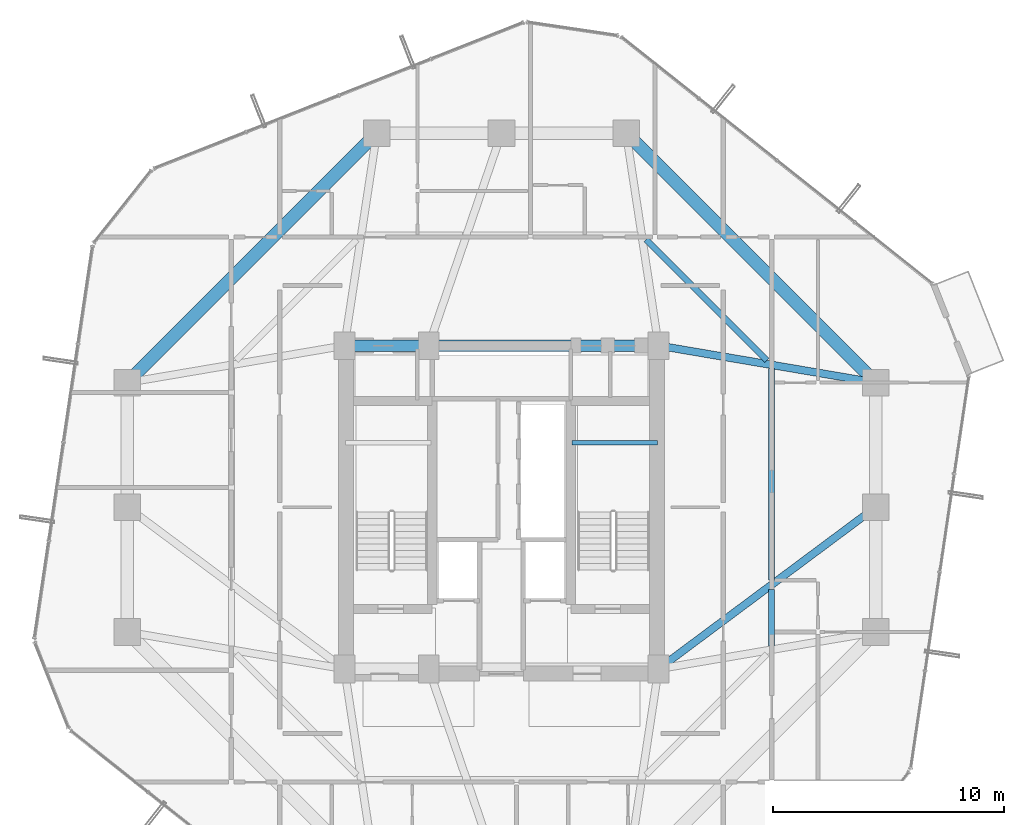
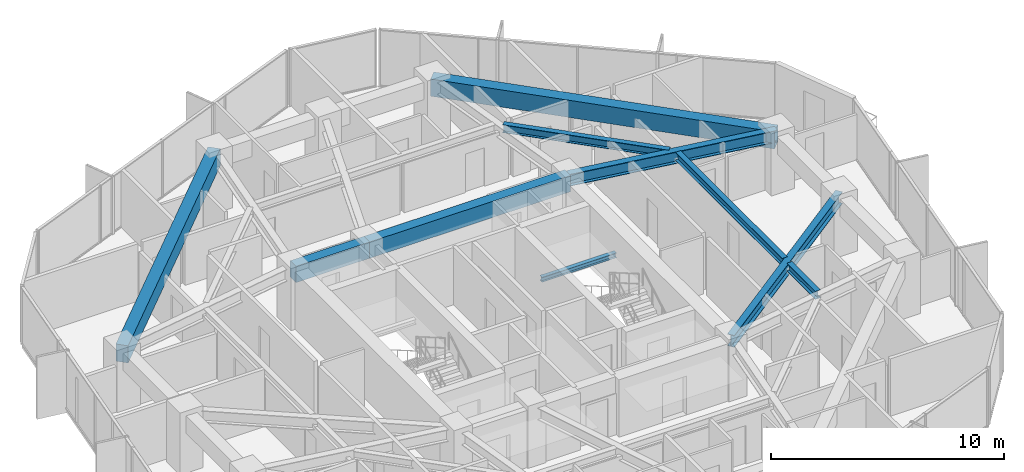
# One storey, part 13 of 29: 10 beams.
"""IFC4 building model written with IfcOpenShell, lengths in metres."""

from ifc_helpers import new_model, si_unit, direction, frame, origin, origin_2d, place, context, subcontext, project, spatial, rectangle, i_section, extrude, material, material_profile, profile_set, type_object, element, save


model = new_model("IFC4")

# Units and contexts
model_context = context("Model", 3, precision=1e-05, world=origin(), true_north=direction((0.0, 1.0)))
body_context = subcontext(model_context, "Body", "Model", "MODEL_VIEW")
ifc_project = project(units=[si_unit("LENGTHUNIT", "METRE"), si_unit("AREAUNIT", "SQUARE_METRE"), si_unit("VOLUMEUNIT", "CUBIC_METRE"), si_unit("PLANEANGLEUNIT", "RADIAN"), si_unit("MASSUNIT", "GRAM", prefix="KILO")], contexts=[model_context])

# Site, building, storey
site_placement = place(None, origin())
site = spatial("IfcSite", under=ifc_project, at=site_placement, CompositionType="ELEMENT")
building_placement = place(site_placement, origin())
building = spatial("IfcBuilding", under=site, at=building_placement, Name="Veraguas Prism Commons", CompositionType="ELEMENT")
storey_placement = place(building_placement, frame((0.0, 0.0, 99.199951171875)))
storey = spatial("IfcBuildingStorey", under=building, at=storey_placement, Name="L27", CompositionType="ELEMENT", Elevation=99.199951171875)

# Beams
ifc_material_1 = material(Name="Concrete C50/60", Category="concrete")
ifc_material_profile_1 = material_profile(ifc_material_1, rectangle(XDim=0.5, YDim=0.85009765625, at=origin_2d()), Name="RC500X850")
ifc_profile_set_1 = profile_set([ifc_material_profile_1], Name="Concrete C50/60")
beam_type_1 = type_object("IfcBeamType", Name="Core Coupling Beam RC 500x850", PredefinedType="BEAM", material=ifc_profile_set_1)
beam_1_placement = place(storey_placement, frame((17.199951171875, 31.0, 2.574951171875), z_axis=(1.0, 0.0, 0.0), x_axis=(0.0, 1.0, 0.0)))
element("IfcBeam", 1, at=beam_1_placement, inside=storey, type_object=beam_type_1, Name="Core Coupling Beam L27-CRN1", PredefinedType="BEAM", context=body_context, shape_type="SweptSolid", body=[
    extrude(rectangle(XDim=0.5, YDim=0.85009765625, at=origin_2d()), origin(), (0.0, 0.0, 1.0), 3.650146484375),
])
beam_2_placement = place(storey_placement, frame((20.85009765625, 31.0, 2.574951171875), z_axis=(1.0, 0.0, 0.0), x_axis=(0.0, 1.0, 0.0)))
element("IfcBeam", 2, at=beam_2_placement, inside=storey, type_object=beam_type_1, Name="Core Coupling Beam L27-CRN2", PredefinedType="BEAM", context=body_context, shape_type="SweptSolid", body=[
    extrude(rectangle(XDim=0.5, YDim=0.85009765625, at=origin_2d()), origin(), (0.0, 0.0, 1.0), 9.949951171875),
])
ifc_material_2 = material(Name="Steel ASTM A992 Grade 50", Category="steel")
ifc_material_profile_2 = material_profile(ifc_material_2, i_section(OverallWidth=0.260986328125, OverallDepth=0.419921875, WebThickness=0.01171875, FlangeThickness=0.019287109375, at=origin_2d()), Name="W410X114")
ifc_profile_set_2 = profile_set([ifc_material_profile_2], Name="Steel ASTM A992 Grade 50")
beam_type_2 = type_object("IfcBeamType", Name="Lower Floor Joist W410x114", PredefinedType="JOIST", material=ifc_profile_set_2)
beam_3_placement = place(storey_placement, frame((35.68798828125, 17.996337890625, 2.7900390625), z_axis=(0.0, 1.0, 0.0), x_axis=(-1.0, 0.0, 0.0)))
element("IfcBeam", 3, at=beam_3_placement, inside=storey, type_object=beam_type_2, Name="Composite Floor Joist L27-JS01", PredefinedType="JOIST", context=body_context, shape_type="SweptSolid", body=[
    extrude(i_section(OverallWidth=0.260986328125, OverallDepth=0.419921875, WebThickness=0.01171875, FlangeThickness=0.019287109375, at=origin_2d()), origin(), (0.0, 0.0, 1.0), 2.441650390625),
])
beam_4_placement = place(storey_placement, frame((35.68798828125, 20.842041015625, 2.7900390625), z_axis=(0.0, 1.0, 0.0), x_axis=(-1.0, 0.0, 0.0)))
element("IfcBeam", 4, at=beam_4_placement, inside=storey, type_object=beam_type_2, Name="Composite Floor Joist L27-JS02", PredefinedType="JOIST", context=body_context, shape_type="SweptSolid", body=[
    extrude(i_section(OverallWidth=0.260986328125, OverallDepth=0.419921875, WebThickness=0.01171875, FlangeThickness=0.019287109375, at=origin_2d()), origin(), (0.0, 0.0, 1.0), 9.16162109375),
])
beam_5_placement = place(storey_placement, frame((35.489990234375, 30.365966796875, 2.7900390625), z_axis=(-0.707090260193, 0.707123301794, 0.0), x_axis=(-0.707123301794, -0.707090260193, 0.0)))
element("IfcBeam", 5, at=beam_5_placement, inside=storey, type_object=beam_type_2, Name="Composite Floor Joist L27-JS03", PredefinedType="JOIST", context=body_context, shape_type="SweptSolid", body=[
    extrude(i_section(OverallWidth=0.260986328125, OverallDepth=0.419921875, WebThickness=0.01171875, FlangeThickness=0.019287109375, at=origin_2d()), origin(), (0.0, 0.0, 1.0), 7.388916015625),
])
ifc_material_profile_3 = material_profile(ifc_material_1, rectangle(XDim=0.550048828125, YDim=0.89990234375, at=origin_2d()), Name="RC550X900")
ifc_profile_set_3 = profile_set([ifc_material_profile_3], Name="Concrete C50/60")
beam_type_3 = type_object("IfcBeamType", Name="Perimeter Spandrel Lower RC 550x900", PredefinedType="SPANDREL", material=ifc_profile_set_3)
for number, where, z_axis, x_axis, name in (
    (6, (40.199951171875, 29.39990234375, 2.550048828125), (-0.707106781187, 0.707106781187, 0.0), (-0.707106781187, -0.707106781187, 0.0), "Perimeter Spandrel Beam L27-SP03"),
    (7, (18.60009765625, 40.199951171875, 2.550048828125), (-0.707106781187, -0.707106781187, 0.0), (0.707106781187, -0.707106781187, 0.0), "Perimeter Spandrel Beam L27-SP06"),
):
    element("IfcBeam", number, at=place(storey_placement, frame(where, z_axis=z_axis, x_axis=x_axis)), inside=storey, type_object=beam_type_3, Name=name, PredefinedType="SPANDREL", context=body_context, shape_type="SweptSolid", body=[
        extrude(rectangle(XDim=0.550048828125, YDim=0.89990234375, at=origin_2d()), origin(), (0.0, 0.0, 1.0), 15.273681640625),
    ])
ifc_material_profile_4 = material_profile(ifc_material_2, i_section(OverallWidth=0.202880859375, OverallDepth=0.251953125, WebThickness=0.008056640625, FlangeThickness=0.013427734375, at=origin_2d()), Name="W250X58")
ifc_profile_set_4 = profile_set([ifc_material_profile_4], Name="Steel ASTM A992 Grade 50")
beam_type_4 = type_object("IfcBeamType", Name="Structural Opening Lintel W250x58", PredefinedType="LINTEL", material=ifc_profile_set_4)
beam_6_placement = place(storey_placement, frame((27.050048828125, 26.800048828125, 1.299072265625), z_axis=(1.0, 0.0, 0.0), x_axis=(0.0, 1.0, 0.0)))
element("IfcBeam", 8, at=beam_6_placement, inside=storey, type_object=beam_type_4, Name="Stair ST-02 Half-Landing Support Beam L27-1", PredefinedType="LINTEL", context=body_context, shape_type="SweptSolid", body=[
    extrude(i_section(OverallWidth=0.202880859375, OverallDepth=0.251953125, WebThickness=0.008056640625, FlangeThickness=0.013427734375, at=origin_2d()), origin(), (0.0, 0.0, 1.0), 3.699951171875),
])
ifc_material_profile_5 = material_profile(ifc_material_2, i_section(OverallWidth=0.327880859375, OverallDepth=0.6220703125, WebThickness=0.015380859375, FlangeThickness=0.0244140625, at=origin_2d()), Name="W610X195")
ifc_profile_set_5 = profile_set([ifc_material_profile_5], Name="Steel ASTM A992 Grade 50")
beam_type_5 = type_object("IfcBeamType", Name="Zone 2 Radial Girder W610x195", PredefinedType="BEAM", material=ifc_profile_set_5)
beam_7_placement = place(storey_placement, frame((40.199951171875, 24.0, 2.68896484375), z_axis=(-0.802040137921, -0.597270137512, 0.0), x_axis=(0.597270137512, -0.802040137921, 0.0)))
element("IfcBeam", 9, at=beam_7_placement, inside=storey, type_object=beam_type_5, Name="Radial Floor Girder L27-RD02", PredefinedType="BEAM", context=body_context, shape_type="SweptSolid", body=[
    extrude(i_section(OverallWidth=0.327880859375, OverallDepth=0.6220703125, WebThickness=0.015380859375, FlangeThickness=0.0244140625, at=origin_2d()), origin(), (0.0, 0.0, 1.0), 11.719970703125),
])
beam_8_placement = place(storey_placement, frame((40.199951171875, 29.39990234375, 2.68896484375), z_axis=(-0.985819187151, 0.1678109956, 0.0), x_axis=(-0.1678109956, -0.985819187151, 0.0)))
element("IfcBeam", 10, at=beam_8_placement, inside=storey, type_object=beam_type_5, Name="Radial Floor Girder L27-RD03", PredefinedType="BEAM", context=body_context, shape_type="SweptSolid", body=[
    extrude(i_section(OverallWidth=0.327880859375, OverallDepth=0.6220703125, WebThickness=0.015380859375, FlangeThickness=0.0244140625, at=origin_2d()), origin(), (0.0, 0.0, 1.0), 9.53515625),
])

save(model, "model.ifc")
